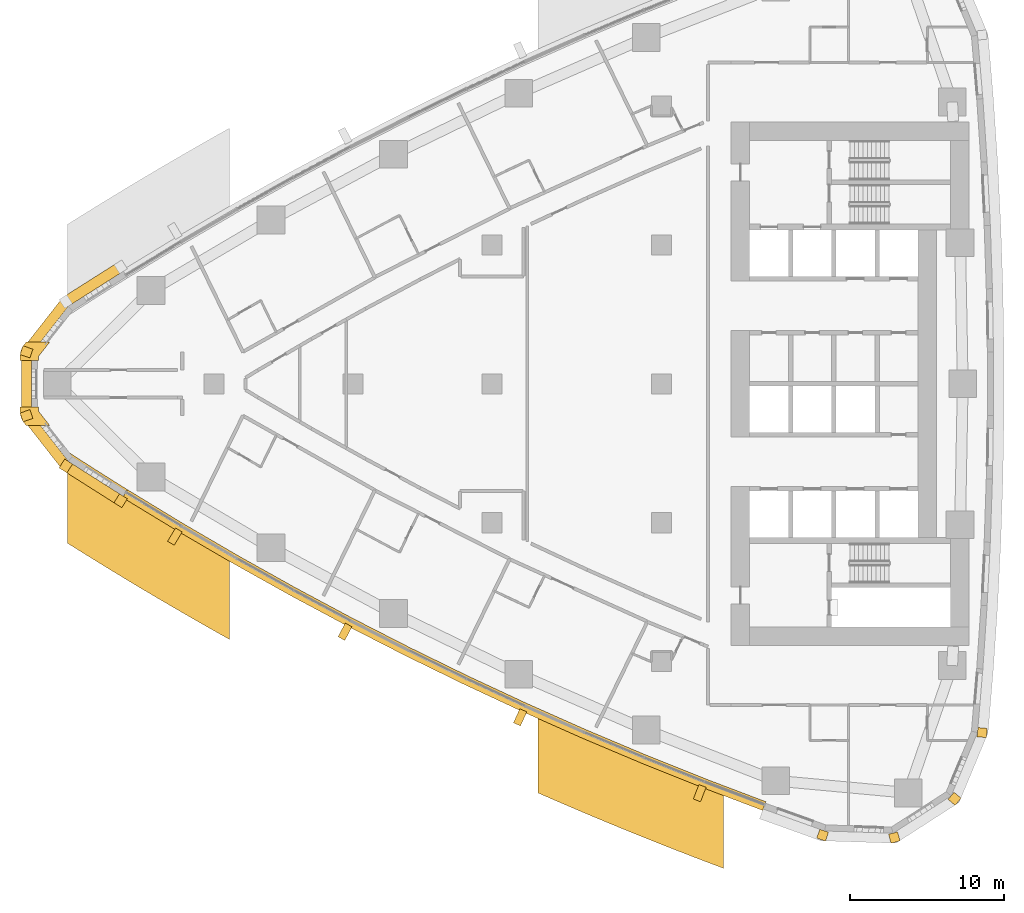
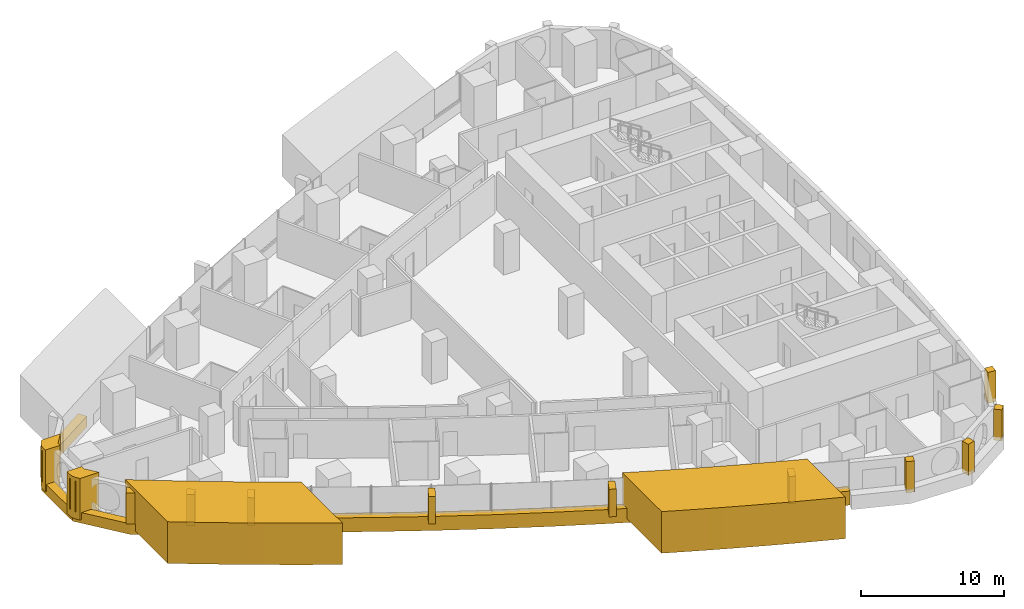
# One storey, part 15 of 19: 18 coverings.
"""IFC4 building model written with IfcOpenShell, lengths in metres."""

from ifc_helpers import new_model, si_unit, direction, frame, frame_2d, origin, place, context, subcontext, project, spatial, polyline, rectangle, outline, extrude, material, layer, layer_set, type_object, element, save


model = new_model("IFC4")

# Units and contexts
model_context = context("Model", 3, precision=1e-05, world=origin(), true_north=direction((0.0, 1.0)))
body_context = subcontext(model_context, "Body", "Model", "MODEL_VIEW")
ifc_project = project(units=[si_unit("LENGTHUNIT", "METRE"), si_unit("AREAUNIT", "SQUARE_METRE"), si_unit("VOLUMEUNIT", "CUBIC_METRE"), si_unit("PLANEANGLEUNIT", "RADIAN"), si_unit("MASSUNIT", "GRAM", prefix="KILO")], contexts=[model_context])

# Site, building, storey
site_placement = place(None, origin())
site = spatial("IfcSite", under=ifc_project, at=site_placement, CompositionType="ELEMENT")
building_placement = place(site_placement, origin())
building = spatial("IfcBuilding", under=site, at=building_placement, Name="Ostrand Prow Hotel Tower", CompositionType="ELEMENT")
storey_placement = place(building_placement, frame((0.0, 0.0, 64.449951171875)))
storey = spatial("IfcBuildingStorey", under=building, at=storey_placement, Name="L14", CompositionType="ELEMENT", Elevation=64.449951171875)

# Coverings
ifc_material_1 = material(Name="Bronze anodised aluminium cladding", Category="aluminium")
ifc_layer_1 = layer(ifc_material_1, 0.60009765625)
ifc_layer_set_1 = layer_set([ifc_layer_1], Name="Bronze anodised aluminium cladding")
covering_type_1 = type_object("IfcCoveringType", Name="Bronze prow band 899x600", PredefinedType="CLADDING", material=ifc_layer_set_1)
covering_1_placement = place(storey_placement, frame((0.0, 0.0, -0.300048828125)))
element("IfcCovering", 1, at=covering_1_placement, inside=storey, type_object=covering_type_1, Name="Bronze prow band", PredefinedType="CLADDING", context=body_context, shape_type="SweptSolid", body=[
    extrude(outline(polyline([(9.77734375, 7.864013671875), (6.2197265625, 5.6083984375), (3.53369140625, 2.178466796875), (3.53369140625, -2.178466796875), (6.2197265625, -5.6083984375), (9.77734375, -7.864013671875), (10.13623046875, -7.286376953125), (6.589111328125, -5.03759765625), (4.176513671875, -1.95654296875), (4.176513671875, 1.95654296875), (6.589111328125, 5.03759765625), (10.13623046875, 7.286376953125), (9.77734375, 7.864013671875)])), origin(), (0.0, 0.0, 1.0), 0.900146484375),
])
ifc_material_2 = material(Name="Bronze anodised aluminium cladding", Category="aluminium")
ifc_layer_2 = layer(ifc_material_2, 0.60009765625)
ifc_layer_set_2 = layer_set([ifc_layer_2], Name="Bronze anodised aluminium cladding")
covering_type_2 = type_object("IfcCoveringType", Name="Bronze spandrel band 1200x600", PredefinedType="CLADDING", material=ifc_layer_set_2)
covering_2_placement = place(storey_placement, frame((0.0, 0.0, -0.300048828125)))
element("IfcCovering", 2, at=covering_2_placement, inside=storey, type_object=covering_type_2, Name="Spandrel band S1", PredefinedType="CLADDING", context=body_context, shape_type="SweptSolid", body=[
    extrude(outline(polyline([(10.08349609375, -7.371337890625), (13.672607421875, -9.555419921875), (17.301513671875, -11.673095703125), (20.968994140625, -13.723876953125), (24.673095703125, -15.70654296875), (28.413330078125, -17.62060546875), (32.188232421875, -19.4658203125), (35.996337890625, -21.2412109375), (39.83642578125, -22.946044921875), (43.70751953125, -24.580078125), (47.607666015625, -26.142578125), (51.5361328125, -27.6328125), (51.743896484375, -27.070068359375), (47.82568359375, -25.58349609375), (43.935791015625, -24.025146484375), (40.074951171875, -22.3955078125), (36.244873046875, -20.695068359375), (32.44677734375, -18.92431640625), (28.681884765625, -17.083984375), (24.951416015625, -15.1748046875), (21.2568359375, -13.197509765625), (17.59912109375, -11.152099609375), (13.97998046875, -9.0400390625), (10.39990234375, -6.86181640625), (10.08349609375, -7.371337890625)])), origin(), (0.0, 0.0, 1.0), 1.2001953125),
])
ifc_material_3 = material(Name="Limestone cladding", Category="masonry")
ifc_layer_3 = layer(ifc_material_3, 5.0)
ifc_layer_set_3 = layer_set([ifc_layer_3], Name="Limestone cladding")
covering_type_3 = type_object("IfcCoveringType", Name="Portal jamb pilaster limestone", PredefinedType="CLADDING", material=ifc_layer_set_3)
covering_3_placement = place(storey_placement, origin())
element("IfcCovering", 3, at=covering_3_placement, inside=storey, type_object=covering_type_3, Name="Portal jamb SA L14", PredefinedType="CLADDING", context=body_context, shape_type="SweptSolid", body=[
    extrude(outline(polyline([(6.5, -4.3837890625), (6.5, -10.319580078125), (7.45458984375, -10.917724609375), (8.4091796875, -11.509521484375), (9.363525390625, -12.09521484375), (10.318115234375, -12.67431640625), (11.272705078125, -13.247314453125), (12.227294921875, -13.81396484375), (13.181884765625, -14.37451171875), (14.136474609375, -14.92919921875), (15.0908203125, -15.4775390625), (16.04541015625, -16.020263671875), (17.0, -16.556640625), (17.0, -10.80859375), (16.04541015625, -10.25634765625), (15.0908203125, -9.697998046875), (14.136474609375, -9.13330078125), (13.181884765625, -8.562255859375), (12.227294921875, -7.98486328125), (11.272705078125, -7.401123046875), (10.318115234375, -6.810791015625), (9.363525390625, -6.214111328125), (8.4091796875, -5.610595703125), (7.45458984375, -5.00048828125), (6.5, -4.3837890625)])), origin(), (0.0, 0.0, 1.0), 3.550048828125),
])
covering_4_placement = place(storey_placement, origin())
element("IfcCovering", 4, at=covering_4_placement, inside=storey, type_object=covering_type_3, Name="Portal jamb SB L14", PredefinedType="CLADDING", context=body_context, shape_type="SweptSolid", body=[
    extrude(outline(polyline([(37.0, -21.037109375), (37.0, -26.50927734375), (38.0, -26.945556640625), (39.0, -27.376220703125), (40.0, -27.801513671875), (41.0, -28.22119140625), (42.0, -28.635498046875), (43.0, -29.044189453125), (44.0, -29.447509765625), (45.0, -29.845703125), (46.0, -30.23828125), (47.0, -30.62548828125), (48.0, -31.0078125), (49.0, -31.384521484375), (49.0, -26.03759765625), (48.0, -25.6513671875), (47.0, -25.259765625), (46.0, -24.862548828125), (45.0, -24.459716796875), (44.0, -24.051513671875), (43.0, -23.637939453125), (42.0, -23.218505859375), (41.0, -22.793701171875), (40.0, -22.363037109375), (39.0, -21.9267578125), (38.0, -21.484619140625), (37.0, -21.037109375)])), origin(), (0.0, 0.0, 1.0), 3.550048828125),
])
ifc_material_4 = material(Name="Limestone cladding", Category="masonry")
ifc_layer_4 = layer(ifc_material_4, 0.5)
ifc_layer_set_4 = layer_set([ifc_layer_4], Name="Limestone cladding")
covering_type_4 = type_object("IfcCoveringType", Name="Precast stone fin 500x900", PredefinedType="CLADDING", material=ifc_layer_set_4)
for number, where, z_axis, x_axis, name in (
    (5, (13.723876953125, -9.469482421875, 0.900146484375), (0.0, 0.0, 1.0), (-0.511908673433, -0.859039876877, 0.0), "Stone fin S 2"),
    (6, (24.719482421875, -15.617919921875, 0.900146484375), (0.0, 0.0, 1.0), (-0.463642032659, -0.886022610068, 0.0), "Stone fin S 5"),
    (7, (36.037841796875, -21.150146484375, 0.900146484375), (0.0, 0.0, 1.0), (-0.414299516417, -0.910140599411, 0.0), "Stone fin S 8"),
    (8, (47.64404296875, -26.04931640625, 0.900146484375), (0.0, 0.0, 1.0), (-0.363294415892, -0.931674389141, 0.0), "Stone fin S 11"),
):
    element("IfcCovering", number, at=place(storey_placement, frame(where, z_axis=z_axis, x_axis=x_axis)), inside=storey, type_object=covering_type_4, Name=name, PredefinedType="CLADDING", context=body_context, shape_type="SweptSolid", body=[
        extrude(rectangle(XDim=1.0, YDim=0.5, at=frame_2d((0.5, 0.0))), origin(), (0.0, 0.0, 1.0), 2.349853515625),
    ])
ifc_material_5 = material(Name="Limestone cladding", Category="masonry")
ifc_layer_5 = layer(ifc_material_5, 0.60009765625)
ifc_layer_set_5 = layer_set([ifc_layer_5], Name="Limestone cladding")
covering_type_5 = type_object("IfcCoveringType", Name="Precast stone prow rib 600x600", PredefinedType="CLADDING", material=ifc_layer_set_5)
for number, where, z_axis, x_axis, name in (
    (9, (4.176513671875, 1.95654296875, 0.60009765625), (0.0, 0.0, 1.0), (-0.945254650653, 0.326333641262, 0.0), "Stone prow rib 3"),
    (10, (4.176513671875, -1.95654296875, 0.60009765625), (0.0, 0.0, 1.0), (-0.945254650653, -0.326333641262, 0.0), "Stone prow rib 4"),
    (11, (6.589111328125, -5.03759765625, 0.60009765625), (0.0, 0.0, 1.0), (-0.543295944087, -0.839541253983, 0.0), "Stone prow rib 5"),
    (12, (10.13623046875, -7.286376953125, 0.60009765625), (0.0, 0.0, 1.0), (-0.527738148304, -0.849407114889, 0.0), "Stone prow rib 6"),
):
    element("IfcCovering", number, at=place(storey_placement, frame(where, z_axis=z_axis, x_axis=x_axis)), inside=storey, type_object=covering_type_5, Name=name, PredefinedType="CLADDING", context=body_context, shape_type="SweptSolid", body=[
        extrude(rectangle(XDim=0.679931640625, YDim=0.60009765625, at=frame_2d((0.33984375, 0.0))), origin(), (0.0, 0.0, 1.0), 2.64990234375),
    ])
for number, where, z_axis, x_axis, name in (
    (13, (55.524169921875, -28.956298828125, 0.60009765625), (0.0, 0.0, 1.0), (-0.328773122904, -0.94440893349, 0.0), "Stone corner rib 2a"),
    (14, (59.98681640625, -29.1025390625, 0.60009765625), (0.0, 0.0, 1.0), (0.266111535611, -0.963942244439, 0.0), "Stone corner rib 3a"),
    (15, (63.74169921875, -26.6865234375, 0.60009765625), (0.0, 0.0, 1.0), (0.766985844654, -0.641664019639, 0.0), "Stone corner rib 4a"),
    (16, (65.4580078125, -22.564453125, 0.60009765625), (0.0, 0.0, 1.0), (0.995724747837, -0.09237005221, 0.0), "Stone corner rib 4b"),
):
    element("IfcCovering", number, at=place(storey_placement, frame(where, z_axis=z_axis, x_axis=x_axis)), inside=storey, type_object=covering_type_5, Name=name, PredefinedType="CLADDING", context=body_context, shape_type="SweptSolid", body=[
        extrude(rectangle(XDim=0.60009765625, YDim=0.60009765625, at=frame_2d((0.300048828125, 0.0))), origin(), (0.0, 0.0, 1.0), 2.64990234375),
    ])
ifc_material_6 = material(Name="Limestone cladding", Category="masonry")
ifc_layer_6 = layer(ifc_material_6, 3.0)
ifc_layer_set_6 = layer_set([ifc_layer_6], Name="Limestone cladding")
covering_type_6 = type_object("IfcCoveringType", Name="Prow nose pier limestone", PredefinedType="CLADDING", material=ifc_layer_set_6)
covering_5_placement = place(storey_placement, origin())
element("IfcCovering", 17, at=covering_5_placement, inside=storey, type_object=covering_type_6, Name="Prow spine fin N L14", PredefinedType="CLADDING", context=body_context, shape_type="SweptSolid", body=[
    extrude(outline(polyline([(3.44921875, 1.793701171875), (3.44921875, 1.5), (4.649169921875, 1.5), (4.649169921875, 1.793701171875), (5.35888671875, 2.699951171875), (3.834716796875, 2.699951171875), (3.704345703125, 2.533447265625), (3.638427734375, 2.440673828125), (3.581787109375, 2.341796875), (3.53466796875, 2.23828125), (3.49755859375, 2.130615234375), (3.470703125, 2.02001953125), (3.45458984375, 1.9072265625), (3.44921875, 1.793701171875)])), origin(), (0.0, 0.0, 1.0), 3.550048828125),
])
covering_6_placement = place(storey_placement, origin())
element("IfcCovering", 18, at=covering_6_placement, inside=storey, type_object=covering_type_6, Name="Prow spine fin S L14", PredefinedType="CLADDING", context=body_context, shape_type="SweptSolid", body=[
    extrude(outline(polyline([(3.704345703125, -2.533447265625), (3.834716796875, -2.699951171875), (5.35888671875, -2.699951171875), (4.649169921875, -1.793701171875), (4.649169921875, -1.5), (3.44921875, -1.5), (3.44921875, -1.793701171875), (3.45458984375, -1.9072265625), (3.470703125, -2.02001953125), (3.49755859375, -2.130615234375), (3.53466796875, -2.23828125), (3.581787109375, -2.341796875), (3.638427734375, -2.440673828125), (3.704345703125, -2.533447265625)])), origin(), (0.0, 0.0, 1.0), 3.550048828125),
])

save(model, "model.ifc")
